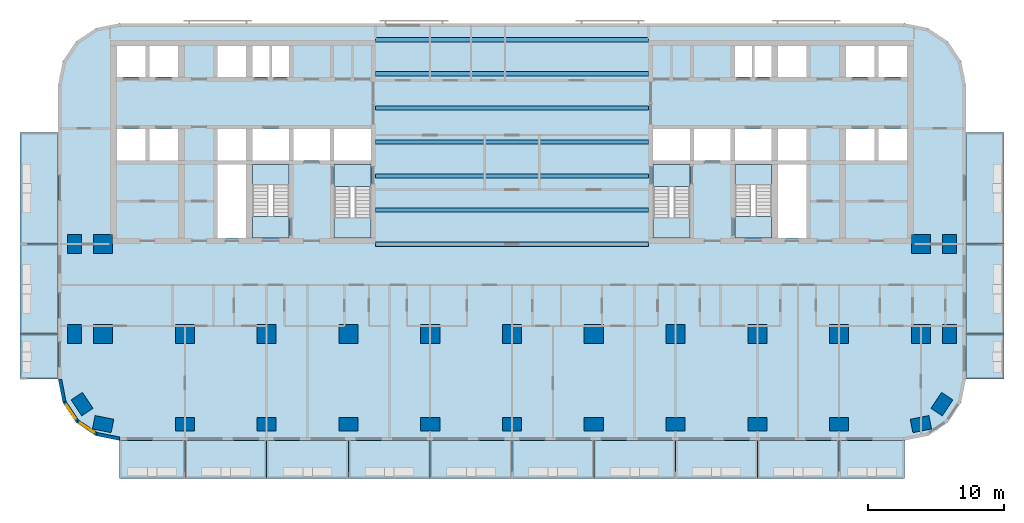
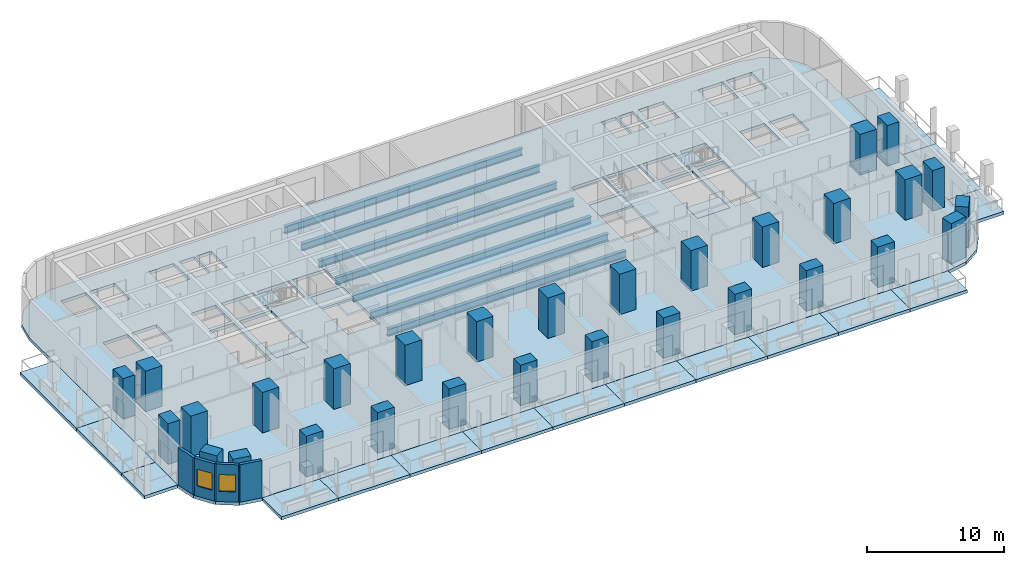
# One storey, part 1 of 15: 30 columns, 25 slabs, 7 beams, 4 walls, 2 windows, 2 openings, 4 elements without a shape of their own.
"""IFC4 building model written with IfcOpenShell, lengths in metres."""

from ifc_helpers import new_model, si_unit, direction, frame, frame_2d, origin, origin_2d, place, context, subcontext, project, spatial, polyline, rectangle, i_section, outline, extrude, material, layer, layer_set, material_profile, profile_set, type_object, element, fill, aggregate, save


model = new_model("IFC4")

# Units and contexts
model_context = context("Model", 3, precision=1e-05, world=origin(), true_north=direction((0.0, 1.0)))
body_context = subcontext(model_context, "Body", "Model", "MODEL_VIEW")
ifc_project = project(units=[si_unit("LENGTHUNIT", "METRE"), si_unit("AREAUNIT", "SQUARE_METRE"), si_unit("VOLUMEUNIT", "CUBIC_METRE"), si_unit("PLANEANGLEUNIT", "RADIAN"), si_unit("MASSUNIT", "GRAM", prefix="KILO")], contexts=[model_context])

# Site, building, storey
site_placement = place(None, origin())
site = spatial("IfcSite", under=ifc_project, at=site_placement, CompositionType="ELEMENT")
building_placement = place(site_placement, origin())
building = spatial("IfcBuilding", under=site, at=building_placement, Name="Torana Hotel and Residences", CompositionType="ELEMENT")
storey_placement = place(building_placement, frame((0.0, 0.0, 70.800048828125)))
storey = spatial("IfcBuildingStorey", under=building, at=storey_placement, Name="L17", CompositionType="ELEMENT", Elevation=70.800048828125)

# Columns
ifc_material_1 = material(Name="Concrete C70/85", Category="concrete")
ifc_material_profile_1 = material_profile(ifc_material_1, rectangle(XDim=1.39990234375, YDim=1.0, at=origin_2d()), Name="RC 1400x1000")
ifc_profile_set_1 = profile_set([ifc_material_profile_1], Name="Concrete C70/85")
column_type_1 = type_object("IfcColumnType", Name="COLUMN RC 1400x1000 C70/85", PredefinedType="COLUMN", material=ifc_profile_set_1)
for number, where, z_axis, x_axis, name in (
    (1, (-32.10009765625, -21.60009765625, 0.0), (0.0, 0.0, 1.0), (0.0, 1.0, 0.0), "Column L17"),
    (2, (-32.10009765625, -15.0, 0.0), (0.0, 0.0, 1.0), (0.0, 1.0, 0.0), "Column L17"),
    (3, (-31.5439453125, -26.73291015625, 0.0), (0.0, 0.0, 1.0), (-0.555584744817, 0.831459915646, 0.0), "Column L17"),
    (4, (-30.0, -28.199951171875, 0.0), (0.0, 0.0, 1.0), (-0.980792089743, 0.195056086032, 0.0), "Column L17"),
    (5, (-24.0, -28.199951171875, 0.0), (0.0, 0.0, 1.0), (1.0, 0.0, 0.0), "Column L17"),
    (6, (-18.0, -28.199951171875, 0.0), (0.0, 0.0, 1.0), (1.0, 0.0, 0.0), "Column L17"),
    (7, (-12.0, -28.199951171875, 0.0), (0.0, 0.0, 1.0), (1.0, 0.0, 0.0), "Column L17"),
    (8, (-6.0, -28.199951171875, 0.0), (0.0, 0.0, 1.0), (1.0, 0.0, 0.0), "Column L17"),
    (9, (0.0, -28.199951171875, 0.0), (0.0, 0.0, 1.0), (1.0, 0.0, 0.0), "Column L17"),
    (10, (6.0, -28.199951171875, 0.0), (0.0, 0.0, 1.0), (1.0, 0.0, 0.0), "Column L17"),
    (11, (12.0, -28.199951171875, 0.0), (0.0, 0.0, 1.0), (1.0, 0.0, 0.0), "Column L17"),
    (12, (18.0, -28.199951171875, 0.0), (0.0, 0.0, 1.0), (1.0, 0.0, 0.0), "Column L17"),
    (13, (24.0, -28.199951171875, 0.0), (0.0, 0.0, 1.0), (1.0, 0.0, 0.0), "Column L17"),
    (14, (30.0, -28.199951171875, 0.0), (0.0, 0.0, 1.0), (0.980792089743, 0.195056086032, 0.0), "Column L17"),
    (15, (31.5439453125, -26.73291015625, 0.0), (0.0, 0.0, 1.0), (0.555584744817, 0.831459915646, 0.0), "Column L17"),
    (16, (32.10009765625, -21.60009765625, 0.0), (0.0, 0.0, 1.0), (0.0, 1.0, 0.0), "Column L17"),
    (17, (32.10009765625, -15.0, 0.0), (0.0, 0.0, 1.0), (0.0, 1.0, 0.0), "Column L17"),
):
    element("IfcColumn", number, at=place(storey_placement, frame(where, z_axis=z_axis, x_axis=x_axis)), inside=storey, type_object=column_type_1, Name=name, PredefinedType="COLUMN", context=body_context, shape_type="SweptSolid", body=[
        extrude(rectangle(XDim=1.39990234375, YDim=1.0, at=origin_2d()), origin(), (0.0, 0.0, 1.0), 3.599853515625),
    ])
ifc_material_2 = material(Name="Concrete C70/85", Category="concrete")
ifc_material_profile_2 = material_profile(ifc_material_2, rectangle(XDim=1.39990234375, YDim=1.39990234375, at=origin_2d()), Name="RC 1400x1400")
ifc_profile_set_2 = profile_set([ifc_material_profile_2], Name="Concrete C70/85")
column_type_2 = type_object("IfcColumnType", Name="COLUMN RC 1400x1400 C70/85", PredefinedType="COLUMN", material=ifc_profile_set_2)
for number, where, z_axis, x_axis, name in (
    (18, (-30.0, -21.60009765625, 0.0), (0.0, 0.0, 1.0), (1.0, 0.0, 0.0), "Column L17"),
    (19, (-30.0, -15.0, 0.0), (0.0, 0.0, 1.0), (1.0, 0.0, 0.0), "Column L17"),
    (20, (-24.0, -21.60009765625, 0.0), (0.0, 0.0, 1.0), (1.0, 0.0, 0.0), "Column L17"),
    (21, (-18.0, -21.60009765625, 0.0), (0.0, 0.0, 1.0), (1.0, 0.0, 0.0), "Column L17"),
    (22, (-12.0, -21.60009765625, 0.0), (0.0, 0.0, 1.0), (1.0, 0.0, 0.0), "Column L17"),
    (23, (-6.0, -21.60009765625, 0.0), (0.0, 0.0, 1.0), (1.0, 0.0, 0.0), "Column L17"),
    (24, (0.0, -21.60009765625, 0.0), (0.0, 0.0, 1.0), (1.0, 0.0, 0.0), "Column L17"),
    (25, (6.0, -21.60009765625, 0.0), (0.0, 0.0, 1.0), (1.0, 0.0, 0.0), "Column L17"),
    (26, (12.0, -21.60009765625, 0.0), (0.0, 0.0, 1.0), (1.0, 0.0, 0.0), "Column L17"),
    (27, (18.0, -21.60009765625, 0.0), (0.0, 0.0, 1.0), (1.0, 0.0, 0.0), "Column L17"),
    (28, (24.0, -21.60009765625, 0.0), (0.0, 0.0, 1.0), (1.0, 0.0, 0.0), "Column L17"),
    (29, (30.0, -21.60009765625, 0.0), (0.0, 0.0, 1.0), (1.0, 0.0, 0.0), "Column L17"),
    (30, (30.0, -15.0, 0.0), (0.0, 0.0, 1.0), (1.0, 0.0, 0.0), "Column L17"),
):
    element("IfcColumn", number, at=place(storey_placement, frame(where, z_axis=z_axis, x_axis=x_axis)), inside=storey, type_object=column_type_2, Name=name, PredefinedType="COLUMN", context=body_context, shape_type="SweptSolid", body=[
        extrude(rectangle(XDim=1.39990234375, YDim=1.39990234375, at=origin_2d()), origin(), (0.0, 0.0, 1.0), 3.599853515625),
    ])

# Beams
ifc_material_3 = material(Name="Steel S355", Category="steel")
ifc_material_profile_3 = material_profile(ifc_material_3, i_section(OverallWidth=0.311279296875, OverallDepth=0.6357421875, WebThickness=0.018310546875, FlangeThickness=0.031494140625, FilletRadius=0.0166015625, at=origin_2d()), Name="610x305x238 UB")
ifc_profile_set_3 = profile_set([ifc_material_profile_3], Name="Steel S355")
beam_type = type_object("IfcBeamType", Name="STEEL GIRDER 610x305x238 UB", PredefinedType="BEAM", material=ifc_profile_set_3)
for number, where, z_axis, x_axis, name in (
    (31, (-10.0, -15.0, -0.597900390625), (1.0, 0.0, 0.0), (0.0, 1.0, 0.0), "Floor girder"),
    (32, (-10.0, -12.5, -0.597900390625), (1.0, 0.0, 0.0), (0.0, 1.0, 0.0), "Floor girder"),
    (33, (-10.0, -10.0, -0.597900390625), (1.0, 0.0, 0.0), (0.0, 1.0, 0.0), "Floor girder"),
    (34, (-10.0, -7.5, -0.597900390625), (1.0, 0.0, 0.0), (0.0, 1.0, 0.0), "Floor girder"),
    (35, (-10.0, -5.0, -0.597900390625), (1.0, 0.0, 0.0), (0.0, 1.0, 0.0), "Floor girder"),
    (36, (-10.0, -2.5, -0.597900390625), (1.0, 0.0, 0.0), (0.0, 1.0, 0.0), "Floor girder"),
    (37, (-10.0, 0.0, -0.597900390625), (1.0, 0.0, 0.0), (0.0, 1.0, 0.0), "Floor girder"),
):
    element("IfcBeam", number, at=place(storey_placement, frame(where, z_axis=z_axis, x_axis=x_axis)), inside=storey, type_object=beam_type, Name=name, PredefinedType="BEAM", context=body_context, shape_type="SweptSolid", body=[
        extrude(i_section(OverallWidth=0.311279296875, OverallDepth=0.6357421875, WebThickness=0.018310546875, FlangeThickness=0.031494140625, FilletRadius=0.0166015625, at=origin_2d()), origin(), (0.0, 0.0, 1.0), 20.0),
    ])

# Slabs
ifc_material_4 = material(Name="Concrete C40/50", Category="concrete")
ifc_layer_1 = layer(ifc_material_4, 0.280029296875)
ifc_layer_set_1 = layer_set([ifc_layer_1], Name="BAL1 BALCONY SLAB 280")
slab_type_1 = type_object("IfcSlabType", Name="BAL1 BALCONY SLAB 280", PredefinedType="USERDEFINED", material=ifc_layer_set_1)
slab_1_placement = place(storey_placement, frame((0.0, 0.0, -0.280029296875)))
element("IfcSlab", 38, at=slab_1_placement, inside=storey, type_object=slab_type_1, Name="Balcony 01", ObjectType="BALCONY", PredefinedType="USERDEFINED", context=body_context, shape_type="SweptSolid", body=[
    extrude(outline(polyline([(-28.800048828125, -32.199951171875), (-24.0, -32.199951171875), (-24.0, -29.39990234375), (-28.800048828125, -29.39990234375), (-28.800048828125, -32.199951171875)])), origin(), (0.0, 0.0, 1.0), 0.280029296875),
])
slab_2_placement = place(storey_placement, frame((0.0, 0.0, -0.280029296875)))
element("IfcSlab", 39, at=slab_2_placement, inside=storey, type_object=slab_type_1, Name="Balcony 02", ObjectType="BALCONY", PredefinedType="USERDEFINED", context=body_context, shape_type="SweptSolid", body=[
    extrude(outline(polyline([(-24.0, -32.199951171875), (-18.0, -32.199951171875), (-18.0, -29.39990234375), (-24.0, -29.39990234375), (-24.0, -32.199951171875)])), origin(), (0.0, 0.0, 1.0), 0.280029296875),
])
slab_3_placement = place(storey_placement, frame((0.0, 0.0, -0.280029296875)))
element("IfcSlab", 40, at=slab_3_placement, inside=storey, type_object=slab_type_1, Name="Balcony 03", ObjectType="BALCONY", PredefinedType="USERDEFINED", context=body_context, shape_type="SweptSolid", body=[
    extrude(outline(polyline([(-18.0, -32.199951171875), (-12.0, -32.199951171875), (-12.0, -29.39990234375), (-18.0, -29.39990234375), (-18.0, -32.199951171875)])), origin(), (0.0, 0.0, 1.0), 0.280029296875),
])
slab_4_placement = place(storey_placement, frame((0.0, 0.0, -0.280029296875)))
element("IfcSlab", 41, at=slab_4_placement, inside=storey, type_object=slab_type_1, Name="Balcony 04", ObjectType="BALCONY", PredefinedType="USERDEFINED", context=body_context, shape_type="SweptSolid", body=[
    extrude(outline(polyline([(-12.0, -32.199951171875), (-6.0, -32.199951171875), (-6.0, -29.39990234375), (-12.0, -29.39990234375), (-12.0, -32.199951171875)])), origin(), (0.0, 0.0, 1.0), 0.280029296875),
])
slab_5_placement = place(storey_placement, frame((0.0, 0.0, -0.280029296875)))
element("IfcSlab", 42, at=slab_5_placement, inside=storey, type_object=slab_type_1, Name="Balcony 05", ObjectType="BALCONY", PredefinedType="USERDEFINED", context=body_context, shape_type="SweptSolid", body=[
    extrude(outline(polyline([(-6.0, -32.199951171875), (0.0, -32.199951171875), (0.0, -29.39990234375), (-6.0, -29.39990234375), (-6.0, -32.199951171875)])), origin(), (0.0, 0.0, 1.0), 0.280029296875),
])
slab_6_placement = place(storey_placement, frame((0.0, 0.0, -0.280029296875)))
element("IfcSlab", 43, at=slab_6_placement, inside=storey, type_object=slab_type_1, Name="Balcony 06", ObjectType="BALCONY", PredefinedType="USERDEFINED", context=body_context, shape_type="SweptSolid", body=[
    extrude(outline(polyline([(0.0, -32.199951171875), (6.0, -32.199951171875), (6.0, -29.39990234375), (0.0, -29.39990234375), (0.0, -32.199951171875)])), origin(), (0.0, 0.0, 1.0), 0.280029296875),
])
slab_7_placement = place(storey_placement, frame((0.0, 0.0, -0.280029296875)))
element("IfcSlab", 44, at=slab_7_placement, inside=storey, type_object=slab_type_1, Name="Balcony 07", ObjectType="BALCONY", PredefinedType="USERDEFINED", context=body_context, shape_type="SweptSolid", body=[
    extrude(outline(polyline([(6.0, -32.199951171875), (12.0, -32.199951171875), (12.0, -29.39990234375), (6.0, -29.39990234375), (6.0, -32.199951171875)])), origin(), (0.0, 0.0, 1.0), 0.280029296875),
])
slab_8_placement = place(storey_placement, frame((0.0, 0.0, -0.280029296875)))
element("IfcSlab", 45, at=slab_8_placement, inside=storey, type_object=slab_type_1, Name="Balcony 08", ObjectType="BALCONY", PredefinedType="USERDEFINED", context=body_context, shape_type="SweptSolid", body=[
    extrude(outline(polyline([(12.0, -32.199951171875), (18.0, -32.199951171875), (18.0, -29.39990234375), (12.0, -29.39990234375), (12.0, -32.199951171875)])), origin(), (0.0, 0.0, 1.0), 0.280029296875),
])
slab_9_placement = place(storey_placement, frame((0.0, 0.0, -0.280029296875)))
element("IfcSlab", 46, at=slab_9_placement, inside=storey, type_object=slab_type_1, Name="Balcony 09", ObjectType="BALCONY", PredefinedType="USERDEFINED", context=body_context, shape_type="SweptSolid", body=[
    extrude(outline(polyline([(18.0, -32.199951171875), (24.0, -32.199951171875), (24.0, -29.39990234375), (18.0, -29.39990234375), (18.0, -32.199951171875)])), origin(), (0.0, 0.0, 1.0), 0.280029296875),
])
slab_10_placement = place(storey_placement, frame((0.0, 0.0, -0.280029296875)))
element("IfcSlab", 47, at=slab_10_placement, inside=storey, type_object=slab_type_1, Name="Balcony 10", ObjectType="BALCONY", PredefinedType="USERDEFINED", context=body_context, shape_type="SweptSolid", body=[
    extrude(outline(polyline([(24.0, -32.199951171875), (28.800048828125, -32.199951171875), (28.800048828125, -29.39990234375), (24.0, -29.39990234375), (24.0, -32.199951171875)])), origin(), (0.0, 0.0, 1.0), 0.280029296875),
])
slab_11_placement = place(storey_placement, frame((0.0, 0.0, -0.280029296875)))
element("IfcSlab", 48, at=slab_11_placement, inside=storey, type_object=slab_type_1, Name="Balcony 11", ObjectType="BALCONY", PredefinedType="USERDEFINED", context=body_context, shape_type="SweptSolid", body=[
    extrude(outline(polyline([(-36.10009765625, -24.89990234375), (-33.300048828125, -24.89990234375), (-33.300048828125, -21.60009765625), (-36.10009765625, -21.60009765625), (-36.10009765625, -24.89990234375)])), origin(), (0.0, 0.0, 1.0), 0.280029296875),
])
slab_12_placement = place(storey_placement, frame((0.0, 0.0, -0.280029296875)))
element("IfcSlab", 49, at=slab_12_placement, inside=storey, type_object=slab_type_1, Name="Balcony 12", ObjectType="BALCONY", PredefinedType="USERDEFINED", context=body_context, shape_type="SweptSolid", body=[
    extrude(outline(polyline([(-36.10009765625, -21.60009765625), (-33.300048828125, -21.60009765625), (-33.300048828125, -15.0), (-36.10009765625, -15.0), (-36.10009765625, -21.60009765625)])), origin(), (0.0, 0.0, 1.0), 0.280029296875),
])
slab_13_placement = place(storey_placement, frame((0.0, 0.0, -0.280029296875)))
element("IfcSlab", 50, at=slab_13_placement, inside=storey, type_object=slab_type_1, Name="Balcony 13", ObjectType="BALCONY", PredefinedType="USERDEFINED", context=body_context, shape_type="SweptSolid", body=[
    extrude(outline(polyline([(-36.10009765625, -15.0), (-33.300048828125, -15.0), (-33.300048828125, -6.800048828125), (-36.10009765625, -6.800048828125), (-36.10009765625, -15.0)])), origin(), (0.0, 0.0, 1.0), 0.280029296875),
])
slab_14_placement = place(storey_placement, frame((0.0, 0.0, -0.280029296875)))
element("IfcSlab", 51, at=slab_14_placement, inside=storey, type_object=slab_type_1, Name="Balcony 14", ObjectType="BALCONY", PredefinedType="USERDEFINED", context=body_context, shape_type="SweptSolid", body=[
    extrude(outline(polyline([(33.300048828125, -24.89990234375), (36.10009765625, -24.89990234375), (36.10009765625, -21.60009765625), (33.300048828125, -21.60009765625), (33.300048828125, -24.89990234375)])), origin(), (0.0, 0.0, 1.0), 0.280029296875),
])
slab_15_placement = place(storey_placement, frame((0.0, 0.0, -0.280029296875)))
element("IfcSlab", 52, at=slab_15_placement, inside=storey, type_object=slab_type_1, Name="Balcony 15", ObjectType="BALCONY", PredefinedType="USERDEFINED", context=body_context, shape_type="SweptSolid", body=[
    extrude(outline(polyline([(33.300048828125, -21.60009765625), (36.10009765625, -21.60009765625), (36.10009765625, -15.0), (33.300048828125, -15.0), (33.300048828125, -21.60009765625)])), origin(), (0.0, 0.0, 1.0), 0.280029296875),
])
slab_16_placement = place(storey_placement, frame((0.0, 0.0, -0.280029296875)))
element("IfcSlab", 53, at=slab_16_placement, inside=storey, type_object=slab_type_1, Name="Balcony 16", ObjectType="BALCONY", PredefinedType="USERDEFINED", context=body_context, shape_type="SweptSolid", body=[
    extrude(outline(polyline([(33.300048828125, -15.0), (36.10009765625, -15.0), (36.10009765625, -6.800048828125), (33.300048828125, -6.800048828125), (33.300048828125, -15.0)])), origin(), (0.0, 0.0, 1.0), 0.280029296875),
])
ifc_material_5 = material(Name="Concrete C40/50", Category="concrete")
ifc_layer_2 = layer(ifc_material_5, 0.280029296875)
ifc_layer_set_2 = layer_set([ifc_layer_2], Name="FLOOR SLAB PT 280")
slab_type_2 = type_object("IfcSlabType", Name="FLOOR SLAB PT 280", PredefinedType="FLOOR", material=ifc_layer_set_2)
slab_17_placement = place(storey_placement, frame((0.0, 0.0, -0.280029296875)))
element("IfcSlab", 54, at=slab_17_placement, inside=storey, type_object=slab_type_2, Name="Floor slab", PredefinedType="FLOOR", context=body_context, shape_type="SweptSolid", body=[
    extrude(outline(polyline([(33.300048828125, -3.300048828125), (32.95751953125, -1.577880859375), (31.98193359375, -0.117919921875), (30.522216796875, 0.857421875), (28.800048828125, 1.199951171875), (-28.800048828125, 1.199951171875), (-30.522216796875, 0.857421875), (-31.98193359375, -0.117919921875), (-32.95751953125, -1.577880859375), (-33.300048828125, -3.300048828125), (-33.300048828125, -24.89990234375), (-32.95751953125, -26.6220703125), (-31.98193359375, -28.08203125), (-30.522216796875, -29.0576171875), (-28.800048828125, -29.39990234375), (28.800048828125, -29.39990234375), (30.522216796875, -29.0576171875), (31.98193359375, -28.08203125), (32.95751953125, -26.6220703125), (33.300048828125, -24.89990234375), (33.300048828125, -3.300048828125)]), holes=[polyline([(-13.050048828125, -14.550048828125), (-10.35009765625, -14.550048828125), (-10.35009765625, -9.14990234375), (-13.050048828125, -9.14990234375), (-13.050048828125, -14.550048828125)]), polyline([(-19.050048828125, -14.550048828125), (-16.35009765625, -14.550048828125), (-16.35009765625, -9.14990234375), (-19.050048828125, -9.14990234375), (-19.050048828125, -14.550048828125)]), polyline([(-17.625, -2.75), (-16.35009765625, -2.75), (-16.35009765625, -0.449951171875), (-17.625, -0.449951171875), (-17.625, -2.75)]), polyline([(-19.050048828125, -2.75), (-17.77490234375, -2.75), (-17.77490234375, -0.449951171875), (-19.050048828125, -0.449951171875), (-19.050048828125, -2.75)]), polyline([(-26.60009765625, -2.75), (-24.5, -2.75), (-24.5, -0.449951171875), (-26.60009765625, -0.449951171875), (-26.60009765625, -2.75)]), polyline([(-29.0, -2.75), (-26.89990234375, -2.75), (-26.89990234375, -0.449951171875), (-29.0, -0.449951171875), (-29.0, -2.75)]), polyline([(-26.60009765625, -8.85009765625), (-24.5, -8.85009765625), (-24.5, -6.550048828125), (-26.60009765625, -6.550048828125), (-26.60009765625, -8.85009765625)]), polyline([(-29.0, -8.85009765625), (-26.89990234375, -8.85009765625), (-26.89990234375, -6.550048828125), (-29.0, -6.550048828125), (-29.0, -8.85009765625)]), polyline([(-21.60009765625, -2.75), (-19.5, -2.75), (-19.5, -0.449951171875), (-21.60009765625, -0.449951171875), (-21.60009765625, -2.75)]), polyline([(-21.60009765625, -8.85009765625), (-19.5, -8.85009765625), (-19.5, -6.550048828125), (-21.60009765625, -6.550048828125), (-21.60009765625, -8.85009765625)]), polyline([(-13.050048828125, -8.85009765625), (-10.35009765625, -8.85009765625), (-10.35009765625, -6.550048828125), (-13.050048828125, -6.550048828125), (-13.050048828125, -8.85009765625)]), polyline([(-16.050048828125, -8.85009765625), (-13.35009765625, -8.85009765625), (-13.35009765625, -6.550048828125), (-16.050048828125, -6.550048828125), (-16.050048828125, -8.85009765625)]), polyline([(-19.050048828125, -8.85009765625), (-16.35009765625, -8.85009765625), (-16.35009765625, -6.550048828125), (-19.050048828125, -6.550048828125), (-19.050048828125, -8.85009765625)]), polyline([(-21.60009765625, -14.550048828125), (-19.5, -14.550048828125), (-19.5, -9.14990234375), (-21.60009765625, -9.14990234375), (-21.60009765625, -14.550048828125)]), polyline([(10.35009765625, -14.550048828125), (13.050048828125, -14.550048828125), (13.050048828125, -9.14990234375), (10.35009765625, -9.14990234375), (10.35009765625, -14.550048828125)]), polyline([(16.35009765625, -14.550048828125), (19.050048828125, -14.550048828125), (19.050048828125, -9.14990234375), (16.35009765625, -9.14990234375), (16.35009765625, -14.550048828125)]), polyline([(16.35009765625, -2.75), (17.625, -2.75), (17.625, -0.449951171875), (16.35009765625, -0.449951171875), (16.35009765625, -2.75)]), polyline([(17.77490234375, -2.75), (19.050048828125, -2.75), (19.050048828125, -0.449951171875), (17.77490234375, -0.449951171875), (17.77490234375, -2.75)]), polyline([(24.5, -2.75), (26.60009765625, -2.75), (26.60009765625, -0.449951171875), (24.5, -0.449951171875), (24.5, -2.75)]), polyline([(26.89990234375, -2.75), (29.0, -2.75), (29.0, -0.449951171875), (26.89990234375, -0.449951171875), (26.89990234375, -2.75)]), polyline([(24.5, -8.85009765625), (26.60009765625, -8.85009765625), (26.60009765625, -6.550048828125), (24.5, -6.550048828125), (24.5, -8.85009765625)]), polyline([(26.89990234375, -8.85009765625), (29.0, -8.85009765625), (29.0, -6.550048828125), (26.89990234375, -6.550048828125), (26.89990234375, -8.85009765625)]), polyline([(19.5, -2.75), (21.60009765625, -2.75), (21.60009765625, -0.449951171875), (19.5, -0.449951171875), (19.5, -2.75)]), polyline([(19.5, -8.85009765625), (21.60009765625, -8.85009765625), (21.60009765625, -6.550048828125), (19.5, -6.550048828125), (19.5, -8.85009765625)]), polyline([(10.35009765625, -8.85009765625), (13.050048828125, -8.85009765625), (13.050048828125, -6.550048828125), (10.35009765625, -6.550048828125), (10.35009765625, -8.85009765625)]), polyline([(13.35009765625, -8.85009765625), (16.050048828125, -8.85009765625), (16.050048828125, -6.550048828125), (13.35009765625, -6.550048828125), (13.35009765625, -8.85009765625)]), polyline([(16.35009765625, -8.85009765625), (19.050048828125, -8.85009765625), (19.050048828125, -6.550048828125), (16.35009765625, -6.550048828125), (16.35009765625, -8.85009765625)]), polyline([(19.5, -14.550048828125), (21.60009765625, -14.550048828125), (21.60009765625, -9.14990234375), (19.5, -9.14990234375), (19.5, -14.550048828125)])]), origin(), (0.0, 0.0, 1.0), 0.280029296875),
])

# Stair, slabs
ifc_material_6 = material(Name="Concrete C40/50 precast", Category="concrete")
stair_type_1 = type_object("IfcStairType", Name="STAIR ST1 HALF TURN 1200", PredefinedType="HALF_TURN_STAIR", material=ifc_material_6)
stair_1_placement = place(storey_placement, origin())
stair_1 = element("IfcStair", 55, at=stair_1_placement, inside=storey, type_object=stair_type_1, Name="Stair ST1 L17", PredefinedType="HALF_TURN_STAIR")
ifc_material_7 = material(Name="Concrete C40/50 precast", Category="concrete")
ifc_layer_3 = layer(ifc_material_7, 0.199951171875)
ifc_layer_set_3 = layer_set([ifc_layer_3], Name="STAIR LANDING 200")
slab_type_3 = type_object("IfcSlabType", Name="STAIR LANDING 200", PredefinedType="LANDING", material=ifc_layer_set_3)
slab_18_placement = place(storey_placement, frame((0.0, 0.0, 1.599853515625)))
slab_18 = element("IfcSlab", 56, at=slab_18_placement, type_object=slab_type_3, Name="ST1 landing 1", PredefinedType="LANDING", context=body_context, shape_type="SweptSolid", body=[
    extrude(outline(polyline([(-13.050048828125, -14.550048828125), (-10.35009765625, -14.550048828125), (-10.35009765625, -13.090087890625), (-13.050048828125, -13.090087890625), (-13.050048828125, -14.550048828125)])), origin(), (0.0, 0.0, 1.0), 0.2001953125),
])
slab_19_placement = place(storey_placement, frame((0.0, 0.0, -0.199951171875)))
slab_19 = element("IfcSlab", 57, at=slab_19_placement, type_object=slab_type_3, Name="ST1 landing 2", PredefinedType="LANDING", context=body_context, shape_type="SweptSolid", body=[
    extrude(outline(polyline([(-13.050048828125, -10.75), (-10.35009765625, -10.75), (-10.35009765625, -9.14990234375), (-13.050048828125, -9.14990234375), (-13.050048828125, -10.75)])), origin(), (0.0, 0.0, 1.0), 0.199951171875),
])
aggregate(stair_1, [slab_18, slab_19])

ifc_material_8 = material(Name="Concrete C40/50 precast", Category="concrete")
stair_type_2 = type_object("IfcStairType", Name="STAIR ST2 HALF TURN 1200", PredefinedType="HALF_TURN_STAIR", material=ifc_material_8)
stair_2_placement = place(storey_placement, origin())
stair_2 = element("IfcStair", 58, at=stair_2_placement, inside=storey, type_object=stair_type_2, Name="Stair ST2 L17", PredefinedType="HALF_TURN_STAIR")
slab_20_placement = place(storey_placement, frame((0.0, 0.0, 1.599853515625)))
slab_20 = element("IfcSlab", 59, at=slab_20_placement, type_object=slab_type_3, Name="ST2 landing 1", PredefinedType="LANDING", context=body_context, shape_type="SweptSolid", body=[
    extrude(outline(polyline([(-19.050048828125, -10.610107421875), (-16.35009765625, -10.610107421875), (-16.35009765625, -9.14990234375), (-19.050048828125, -9.14990234375), (-19.050048828125, -10.610107421875)])), origin(), (0.0, 0.0, 1.0), 0.2001953125),
])
slab_21_placement = place(storey_placement, frame((0.0, 0.0, -0.199951171875)))
slab_21 = element("IfcSlab", 60, at=slab_21_placement, type_object=slab_type_3, Name="ST2 landing 2", PredefinedType="LANDING", context=body_context, shape_type="SweptSolid", body=[
    extrude(outline(polyline([(-19.050048828125, -14.550048828125), (-16.35009765625, -14.550048828125), (-16.35009765625, -12.949951171875), (-19.050048828125, -12.949951171875), (-19.050048828125, -14.550048828125)])), origin(), (0.0, 0.0, 1.0), 0.199951171875),
])
aggregate(stair_2, [slab_20, slab_21])

ifc_material_9 = material(Name="Concrete C40/50 precast", Category="concrete")
stair_type_3 = type_object("IfcStairType", Name="STAIR ST3 HALF TURN 1200", PredefinedType="HALF_TURN_STAIR", material=ifc_material_9)
stair_3_placement = place(storey_placement, origin())
stair_3 = element("IfcStair", 61, at=stair_3_placement, inside=storey, type_object=stair_type_3, Name="Stair ST3 L17", PredefinedType="HALF_TURN_STAIR")
slab_22_placement = place(storey_placement, frame((0.0, 0.0, 1.599853515625)))
slab_22 = element("IfcSlab", 62, at=slab_22_placement, type_object=slab_type_3, Name="ST3 landing 1", PredefinedType="LANDING", context=body_context, shape_type="SweptSolid", body=[
    extrude(outline(polyline([(10.35009765625, -14.550048828125), (13.050048828125, -14.550048828125), (13.050048828125, -13.090087890625), (10.35009765625, -13.090087890625), (10.35009765625, -14.550048828125)])), origin(), (0.0, 0.0, 1.0), 0.2001953125),
])
slab_23_placement = place(storey_placement, frame((0.0, 0.0, -0.199951171875)))
slab_23 = element("IfcSlab", 63, at=slab_23_placement, type_object=slab_type_3, Name="ST3 landing 2", PredefinedType="LANDING", context=body_context, shape_type="SweptSolid", body=[
    extrude(outline(polyline([(10.35009765625, -10.75), (13.050048828125, -10.75), (13.050048828125, -9.14990234375), (10.35009765625, -9.14990234375), (10.35009765625, -10.75)])), origin(), (0.0, 0.0, 1.0), 0.199951171875),
])
aggregate(stair_3, [slab_22, slab_23])

ifc_material_10 = material(Name="Concrete C40/50 precast", Category="concrete")
stair_type_4 = type_object("IfcStairType", Name="STAIR ST4 HALF TURN 1200", PredefinedType="HALF_TURN_STAIR", material=ifc_material_10)
stair_4_placement = place(storey_placement, origin())
stair_4 = element("IfcStair", 64, at=stair_4_placement, inside=storey, type_object=stair_type_4, Name="Stair ST4 L17", PredefinedType="HALF_TURN_STAIR")
slab_24_placement = place(storey_placement, frame((0.0, 0.0, 1.599853515625)))
slab_24 = element("IfcSlab", 65, at=slab_24_placement, type_object=slab_type_3, Name="ST4 landing 1", PredefinedType="LANDING", context=body_context, shape_type="SweptSolid", body=[
    extrude(outline(polyline([(16.35009765625, -10.610107421875), (19.050048828125, -10.610107421875), (19.050048828125, -9.14990234375), (16.35009765625, -9.14990234375), (16.35009765625, -10.610107421875)])), origin(), (0.0, 0.0, 1.0), 0.2001953125),
])
slab_25_placement = place(storey_placement, frame((0.0, 0.0, -0.199951171875)))
slab_25 = element("IfcSlab", 66, at=slab_25_placement, type_object=slab_type_3, Name="ST4 landing 2", PredefinedType="LANDING", context=body_context, shape_type="SweptSolid", body=[
    extrude(outline(polyline([(16.35009765625, -14.550048828125), (19.050048828125, -14.550048828125), (19.050048828125, -12.949951171875), (16.35009765625, -12.949951171875), (16.35009765625, -14.550048828125)])), origin(), (0.0, 0.0, 1.0), 0.199951171875),
])
aggregate(stair_4, [slab_24, slab_25])

# Wall
ifc_material_11 = material(Name="Black aluminium composite panel", Category="aluminium")
ifc_layer_4 = layer(ifc_material_11, 0.00390625, Name="Cladding", Category="cladding")
ifc_material_12 = material(Name="Ventilated air cavity")
ifc_layer_5 = layer(ifc_material_12, 0.0400390625, Name="Ventilated cavity", Category="cavity")
ifc_material_13 = material(Name="Mineral wool insulation")
ifc_layer_6 = layer(ifc_material_13, 0.090087890625, Name="Insulation", Category="insulation")
ifc_material_14 = material(Name="Steel S280GD", Category="steel")
ifc_layer_7 = layer(ifc_material_14, 0.092041015625, Name="Steel stud frame", Category="structure")
ifc_material_15 = material(Name="Fire rated plasterboard")
ifc_layer_8 = layer(ifc_material_15, 0.011962890625, Name="Inner board", Category="finish")
ifc_layer_9 = layer(ifc_material_15, 0.011962890625, Name="Second board", Category="finish")
ifc_layer_set_4 = layer_set([ifc_layer_4, ifc_layer_5, ifc_layer_6, ifc_layer_7, ifc_layer_8, ifc_layer_9], Name="EW1 EXTERNAL WALL BLACK METAL CLAD 250")
wall_type = type_object("IfcWallType", Name="EW1 EXTERNAL WALL BLACK METAL CLAD 250", PredefinedType="SOLIDWALL", material=ifc_layer_set_4)
wall_1_placement = place(storey_placement, frame((-33.172607421875, -24.89990234375, 0.0), z_axis=(0.0, 0.0, 1.0), x_axis=(0.195166572128, -0.980770110232, 0.0)))
element("IfcWall", 67, at=wall_1_placement, inside=storey, type_object=wall_type, Name="External wall L17 e0.10", PredefinedType="SOLIDWALL", context=body_context, shape_type="SweptSolid", body=[
    extrude(rectangle(XDim=1.68115234375, YDim=0.25, at=frame_2d((0.840576171875, 0.0))), origin(), (0.0, 0.0, 1.0), 3.320068359375),
])

# Wall, opening, window
wall_2_placement = place(storey_placement, frame((-32.825927734375, -26.593994140625, 0.0), z_axis=(0.0, 0.0, 1.0), x_axis=(0.55555029066, -0.831482937015, 0.0)))
wall_2 = element("IfcWall", 68, at=wall_2_placement, inside=storey, type_object=wall_type, Name="External wall L17 e0.11", PredefinedType="SOLIDWALL", context=body_context, shape_type="SweptSolid", body=[
    extrude(rectangle(XDim=1.65625, YDim=0.25, at=frame_2d((0.828125, 0.0))), origin(), (0.0, 0.0, 1.0), 3.320068359375),
])
opening_1_placement = place(wall_2_placement, frame((0.228271484375, 0.0, 0.89990234375)))
opening_1 = element("IfcOpeningElement", 69, at=opening_1_placement, cuts=wall_2, Name="Opening W5", PredefinedType="OPENING", context=body_context, shape_type="SweptSolid", body=[
    extrude(rectangle(XDim=1.199951171875, YDim=1.5, at=frame_2d((0.60009765625, 0.75))), frame((0.0, 0.135009765625, 0.0), z_axis=(0.0, -1.0, 0.0), x_axis=(1.0, 0.0, 0.0)), (0.0, 0.0, 1.0), 0.27001953125),
])
ifc_material_16 = material(Name="Dark glass in black aluminium frame", Category="aluminium")
window_type = type_object("IfcWindowType", Name="W5 CORNER FACET WINDOW 1200x1500", PartitioningType="SINGLE_PANEL", PredefinedType="WINDOW", material=ifc_material_16)
window_1_placement = place(opening_1_placement, origin())
window_1 = element("IfcWindow", 70, at=window_1_placement, inside=storey, type_object=window_type, Name="Window L17 e0.11", OverallHeight=1.5, OverallWidth=1.199951171875, PartitioningType="SINGLE_PANEL", PredefinedType="WINDOW", context=body_context, shape_type="SweptSolid", body=[
    extrude(rectangle(XDim=1.199951171875, YDim=1.5, at=frame_2d((0.60009765625, 0.75))), frame((0.0, 0.030029296875, 0.0), z_axis=(0.0, -1.0, 0.0), x_axis=(1.0, 0.0, 0.0)), (0.0, 0.0, 1.0), 0.06005859375),
])
fill(opening_1, window_1)

wall_3_placement = place(storey_placement, frame((-31.87109375, -28.005615234375, 0.0), z_axis=(0.0, 0.0, 1.0), x_axis=(0.831482937015, -0.55555029066, 0.0)))
wall_3 = element("IfcWall", 71, at=wall_3_placement, inside=storey, type_object=wall_type, Name="External wall L17 e0.12", PredefinedType="SOLIDWALL", context=body_context, shape_type="SweptSolid", body=[
    extrude(rectangle(XDim=1.65625, YDim=0.25, at=frame_2d((0.828125, 0.0))), origin(), (0.0, 0.0, 1.0), 3.320068359375),
])
opening_2_placement = place(wall_3_placement, frame((0.228271484375, 0.0, 0.89990234375)))
opening_2 = element("IfcOpeningElement", 72, at=opening_2_placement, cuts=wall_3, Name="Opening W5", PredefinedType="OPENING", context=body_context, shape_type="SweptSolid", body=[
    extrude(rectangle(XDim=1.199951171875, YDim=1.5, at=frame_2d((0.60009765625, 0.75))), frame((0.0, 0.135009765625, 0.0), z_axis=(0.0, -1.0, 0.0), x_axis=(1.0, 0.0, 0.0)), (0.0, 0.0, 1.0), 0.27001953125),
])
window_2_placement = place(opening_2_placement, origin())
window_2 = element("IfcWindow", 73, at=window_2_placement, inside=storey, type_object=window_type, Name="Window L17 e0.12", OverallHeight=1.5, OverallWidth=1.199951171875, PartitioningType="SINGLE_PANEL", PredefinedType="WINDOW", context=body_context, shape_type="SweptSolid", body=[
    extrude(rectangle(XDim=1.199951171875, YDim=1.5, at=frame_2d((0.60009765625, 0.75))), frame((0.0, 0.030029296875, 0.0), z_axis=(0.0, -1.0, 0.0), x_axis=(1.0, 0.0, 0.0)), (0.0, 0.0, 1.0), 0.06005859375),
])
fill(opening_2, window_2)

# Wall
wall_4_placement = place(storey_placement, frame((-30.448974609375, -28.944580078125, 0.0), z_axis=(0.0, 0.0, 1.0), x_axis=(0.980775640221, -0.19513878023, 0.0)))
element("IfcWall", 74, at=wall_4_placement, inside=storey, type_object=wall_type, Name="External wall L17 e0.13", PredefinedType="SOLIDWALL", context=body_context, shape_type="SweptSolid", body=[
    extrude(rectangle(XDim=1.681396484375, YDim=0.25, at=frame_2d((0.8408203125, 0.0))), origin(), (0.0, 0.0, 1.0), 3.320068359375),
])

save(model, "model.ifc")
